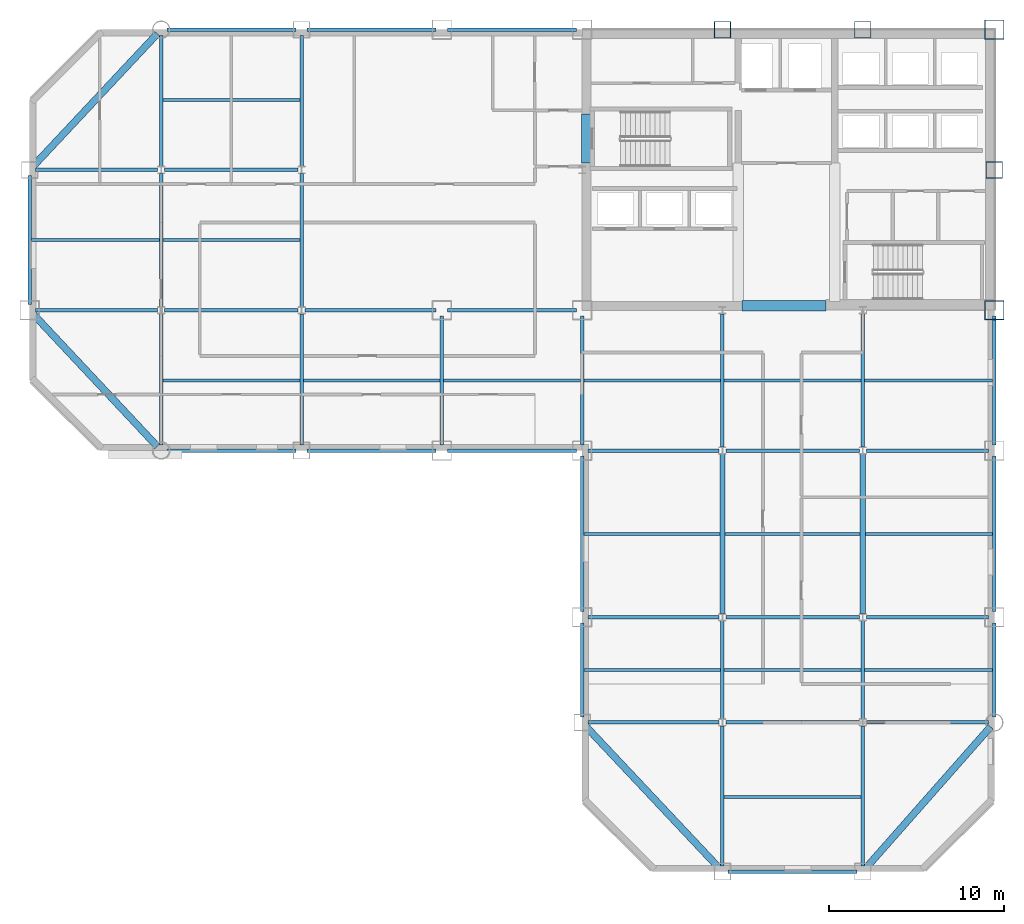
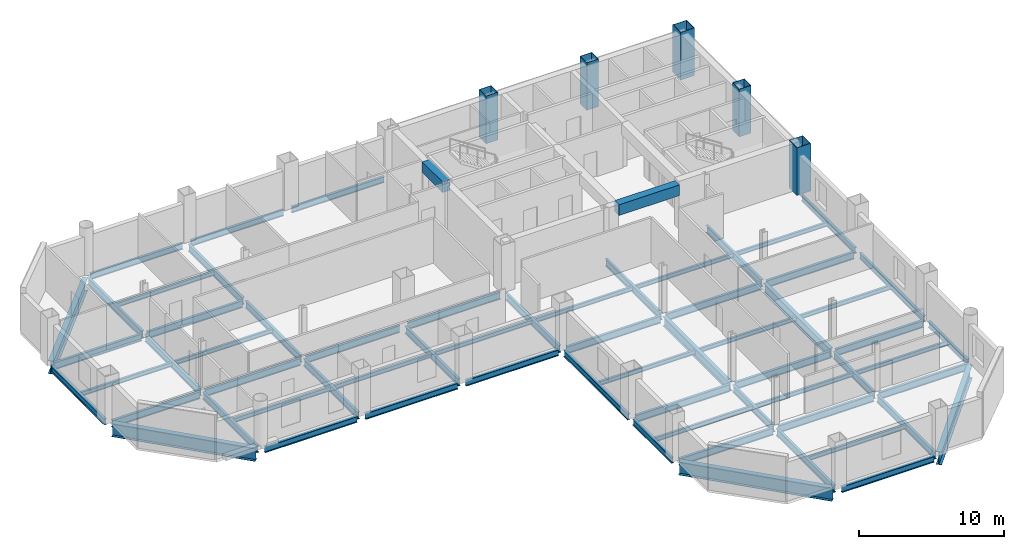
# One storey, part 4 of 10: 66 beams, 5 columns.
"""IFC4 building model written with IfcOpenShell, lengths in metres."""

from ifc_helpers import new_model, si_unit, direction, frame, origin, origin_2d, place, context, subcontext, project, spatial, rectangle, hollow_rectangle, i_section, extrude, material, material_profile, profile_set, type_object, element, save


model = new_model("IFC4")

# Units and contexts
model_context = context("Model", 3, precision=1e-05, world=origin(), true_north=direction((0.0, 1.0)))
body_context = subcontext(model_context, "Body", "Model", "MODEL_VIEW")
ifc_project = project(units=[si_unit("LENGTHUNIT", "METRE"), si_unit("AREAUNIT", "SQUARE_METRE"), si_unit("VOLUMEUNIT", "CUBIC_METRE"), si_unit("PLANEANGLEUNIT", "RADIAN"), si_unit("MASSUNIT", "GRAM", prefix="KILO")], contexts=[model_context])

# Site, building, storey
site_placement = place(None, origin())
site = spatial("IfcSite", under=ifc_project, at=site_placement, CompositionType="ELEMENT")
building_placement = place(site_placement, origin())
building = spatial("IfcBuilding", under=site, at=building_placement, Name="Qianrong Seaharbour Tower", CompositionType="ELEMENT")
storey_placement = place(building_placement, frame((0.0, 0.0, 175.0)))
storey = spatial("IfcBuildingStorey", under=building, at=storey_placement, Name="L42", CompositionType="ELEMENT", Elevation=175.0)

# Columns
ifc_material_1 = material(Name="Structural steel SN490B", Category="steel")
ifc_material_profile_1 = material_profile(ifc_material_1, hollow_rectangle(XDim=1.10009765625, YDim=1.10009765625, WallThickness=0.0400390625, at=origin_2d()), Name="BOX1100x1100x40")
ifc_profile_set_1 = profile_set([ifc_material_profile_1], Name="Structural steel SN490B")
column_type_1 = type_object("IfcColumnType", Name="COL-CFT-1100", PredefinedType="COLUMN", material=ifc_profile_set_1)
for number, where, z_axis, x_axis, name in (
    (1, (64.0, 36.0, 0.0), (0.0, 0.0, 1.0), (1.0, 0.0, 0.0), "L42 Column MC-3 at G9/GF"),
    (2, (64.0, 52.0, 0.0), (0.0, 0.0, 1.0), (1.0, 0.0, 0.0), "L42 Column MC-3 at G9/GH"),
):
    element("IfcColumn", number, at=place(storey_placement, frame(where, z_axis=z_axis, x_axis=x_axis)), inside=storey, type_object=column_type_1, Name=name, PredefinedType="COLUMN", context=body_context, shape_type="SweptSolid", body=[
        extrude(hollow_rectangle(XDim=1.10009765625, YDim=1.10009765625, WallThickness=0.0400390625, at=origin_2d()), origin(), (0.0, 0.0, 1.0), 4.0),
    ])
ifc_material_profile_2 = material_profile(ifc_material_1, hollow_rectangle(XDim=0.949951171875, YDim=0.949951171875, WallThickness=0.035888671875, at=origin_2d()), Name="BOX950x950x36")
ifc_profile_set_2 = profile_set([ifc_material_profile_2], Name="Structural steel SN490B")
column_type_2 = type_object("IfcColumnType", Name="COL-PER-950", PredefinedType="COLUMN", material=ifc_profile_set_2)
for number, where, z_axis, x_axis, name in (
    (3, (48.5, 52.0, 0.0), (0.0, 0.0, 1.0), (1.0, 0.0, 0.0), "L42 Column PC-2 at G7/GH"),
    (4, (56.5, 52.0, 0.0), (0.0, 0.0, 1.0), (1.0, 0.0, 0.0), "L42 Column PC-2 at G8/GH"),
    (5, (64.0, 44.0, 0.0), (0.0, 0.0, 1.0), (1.0, 0.0, 0.0), "L42 Column PC-2 at G9/GG"),
):
    element("IfcColumn", number, at=place(storey_placement, frame(where, z_axis=z_axis, x_axis=x_axis)), inside=storey, type_object=column_type_2, Name=name, PredefinedType="COLUMN", context=body_context, shape_type="SweptSolid", body=[
        extrude(hollow_rectangle(XDim=0.949951171875, YDim=0.949951171875, WallThickness=0.035888671875, at=origin_2d()), origin(), (0.0, 0.0, 1.0), 4.0),
    ])

# Beams
ifc_material_profile_3 = material_profile(ifc_material_1, i_section(OverallWidth=0.199951171875, OverallDepth=0.60009765625, WebThickness=0.010986328125, FlangeThickness=0.01708984375, FilletRadius=0.02197265625, at=origin_2d()), Name="H600x200x11x17")
ifc_profile_set_3 = profile_set([ifc_material_profile_3], Name="Structural steel SN490B")
beam_type_1 = type_object("IfcBeamType", Name="BM-G-600", PredefinedType="BEAM", material=ifc_profile_set_3)
beam_1_placement = place(storey_placement, frame((40.820068359375, 12.5, -0.534912109375), z_axis=(1.0, 0.0, 0.0), x_axis=(0.0, 1.0, 0.0)))
element("IfcBeam", 6, at=beam_1_placement, inside=storey, type_object=beam_type_1, Name="L42 Primary Girder GC G6-G7", PredefinedType="BEAM", context=body_context, shape_type="SweptSolid", body=[
    extrude(i_section(OverallWidth=0.199951171875, OverallDepth=0.60009765625, WebThickness=0.010986328125, FlangeThickness=0.01708984375, FilletRadius=0.02197265625, at=origin_2d()), origin(), (0.0, 0.0, 1.0), 7.47998046875),
])
beam_2_placement = place(storey_placement, frame((48.699951171875, 12.5, -0.534912109375), z_axis=(1.0, 0.0, 0.0), x_axis=(0.0, 1.0, 0.0)))
element("IfcBeam", 7, at=beam_2_placement, inside=storey, type_object=beam_type_1, Name="L42 Primary Girder GC G7-G8", PredefinedType="BEAM", context=body_context, shape_type="SweptSolid", body=[
    extrude(i_section(OverallWidth=0.199951171875, OverallDepth=0.60009765625, WebThickness=0.010986328125, FlangeThickness=0.01708984375, FilletRadius=0.02197265625, at=origin_2d()), origin(), (0.0, 0.0, 1.0), 7.60009765625),
])
beam_3_placement = place(storey_placement, frame((56.699951171875, 12.5, -0.534912109375), z_axis=(1.0, 0.0, 0.0), x_axis=(0.0, 1.0, 0.0)))
element("IfcBeam", 8, at=beam_3_placement, inside=storey, type_object=beam_type_1, Name="L42 Primary Girder GC G8-G9", PredefinedType="BEAM", context=body_context, shape_type="SweptSolid", body=[
    extrude(i_section(OverallWidth=0.199951171875, OverallDepth=0.60009765625, WebThickness=0.010986328125, FlangeThickness=0.01708984375, FilletRadius=0.02197265625, at=origin_2d()), origin(), (0.0, 0.0, 1.0), 6.97998046875),
])
beam_4_placement = place(storey_placement, frame((40.820068359375, 18.5, -0.534912109375), z_axis=(1.0, 0.0, 0.0), x_axis=(0.0, 1.0, 0.0)))
element("IfcBeam", 9, at=beam_4_placement, inside=storey, type_object=beam_type_1, Name="L42 Primary Girder GD G6-G7", PredefinedType="BEAM", context=body_context, shape_type="SweptSolid", body=[
    extrude(i_section(OverallWidth=0.199951171875, OverallDepth=0.60009765625, WebThickness=0.010986328125, FlangeThickness=0.01708984375, FilletRadius=0.02197265625, at=origin_2d()), origin(), (0.0, 0.0, 1.0), 7.47998046875),
])
beam_5_placement = place(storey_placement, frame((48.699951171875, 18.5, -0.534912109375), z_axis=(1.0, 0.0, 0.0), x_axis=(0.0, 1.0, 0.0)))
element("IfcBeam", 10, at=beam_5_placement, inside=storey, type_object=beam_type_1, Name="L42 Primary Girder GD G7-G8", PredefinedType="BEAM", context=body_context, shape_type="SweptSolid", body=[
    extrude(i_section(OverallWidth=0.199951171875, OverallDepth=0.60009765625, WebThickness=0.010986328125, FlangeThickness=0.01708984375, FilletRadius=0.02197265625, at=origin_2d()), origin(), (0.0, 0.0, 1.0), 7.60009765625),
])
beam_6_placement = place(storey_placement, frame((56.699951171875, 18.5, -0.534912109375), z_axis=(1.0, 0.0, 0.0), x_axis=(0.0, 1.0, 0.0)))
element("IfcBeam", 11, at=beam_6_placement, inside=storey, type_object=beam_type_1, Name="L42 Primary Girder GD G8-G9", PredefinedType="BEAM", context=body_context, shape_type="SweptSolid", body=[
    extrude(i_section(OverallWidth=0.199951171875, OverallDepth=0.60009765625, WebThickness=0.010986328125, FlangeThickness=0.01708984375, FilletRadius=0.02197265625, at=origin_2d()), origin(), (0.0, 0.0, 1.0), 6.97998046875),
])
beam_7_placement = place(storey_placement, frame((40.820068359375, 28.0, -0.534912109375), z_axis=(1.0, 0.0, 0.0), x_axis=(0.0, 1.0, 0.0)))
element("IfcBeam", 12, at=beam_7_placement, inside=storey, type_object=beam_type_1, Name="L42 Primary Girder GE G6-G7", PredefinedType="BEAM", context=body_context, shape_type="SweptSolid", body=[
    extrude(i_section(OverallWidth=0.199951171875, OverallDepth=0.60009765625, WebThickness=0.010986328125, FlangeThickness=0.01708984375, FilletRadius=0.02197265625, at=origin_2d()), origin(), (0.0, 0.0, 1.0), 7.47998046875),
])
beam_8_placement = place(storey_placement, frame((48.699951171875, 28.0, -0.534912109375), z_axis=(1.0, 0.0, 0.0), x_axis=(0.0, 1.0, 0.0)))
element("IfcBeam", 13, at=beam_8_placement, inside=storey, type_object=beam_type_1, Name="L42 Primary Girder GE G7-G8", PredefinedType="BEAM", context=body_context, shape_type="SweptSolid", body=[
    extrude(i_section(OverallWidth=0.199951171875, OverallDepth=0.60009765625, WebThickness=0.010986328125, FlangeThickness=0.01708984375, FilletRadius=0.02197265625, at=origin_2d()), origin(), (0.0, 0.0, 1.0), 7.60009765625),
])
for number, where, z_axis, x_axis, name in (
    (14, (56.699951171875, 28.0, -0.534912109375), (1.0, 0.0, 0.0), (0.0, 1.0, 0.0), "L42 Primary Girder GE G8-G9"),
    (15, (9.320068359375, 36.0, -0.534912109375), (1.0, 0.0, 0.0), (0.0, 1.0, 0.0), "L42 Primary Girder GF G2-G3"),
):
    element("IfcBeam", number, at=place(storey_placement, frame(where, z_axis=z_axis, x_axis=x_axis)), inside=storey, type_object=beam_type_1, Name=name, PredefinedType="BEAM", context=body_context, shape_type="SweptSolid", body=[
        extrude(i_section(OverallWidth=0.199951171875, OverallDepth=0.60009765625, WebThickness=0.010986328125, FlangeThickness=0.01708984375, FilletRadius=0.02197265625, at=origin_2d()), origin(), (0.0, 0.0, 1.0), 6.97998046875),
    ])
beam_9_placement = place(storey_placement, frame((16.699951171875, 36.0, -0.534912109375), z_axis=(1.0, 0.0, 0.0), x_axis=(0.0, 1.0, 0.0)))
element("IfcBeam", 16, at=beam_9_placement, inside=storey, type_object=beam_type_1, Name="L42 Primary Girder GF G3-G4", PredefinedType="BEAM", context=body_context, shape_type="SweptSolid", body=[
    extrude(i_section(OverallWidth=0.199951171875, OverallDepth=0.60009765625, WebThickness=0.010986328125, FlangeThickness=0.01708984375, FilletRadius=0.02197265625, at=origin_2d()), origin(), (0.0, 0.0, 1.0), 7.60009765625),
])
beam_10_placement = place(storey_placement, frame((24.699951171875, 36.0, -0.534912109375), z_axis=(1.0, 0.0, 0.0), x_axis=(0.0, 1.0, 0.0)))
element("IfcBeam", 17, at=beam_10_placement, inside=storey, type_object=beam_type_1, Name="L42 Primary Girder GF G4-G5", PredefinedType="BEAM", context=body_context, shape_type="SweptSolid", body=[
    extrude(i_section(OverallWidth=0.199951171875, OverallDepth=0.60009765625, WebThickness=0.010986328125, FlangeThickness=0.01708984375, FilletRadius=0.02197265625, at=origin_2d()), origin(), (0.0, 0.0, 1.0), 7.47998046875),
])
beam_11_placement = place(storey_placement, frame((32.820068359375, 36.0, -0.534912109375), z_axis=(1.0, 0.0, 0.0), x_axis=(0.0, 1.0, 0.0)))
element("IfcBeam", 18, at=beam_11_placement, inside=storey, type_object=beam_type_1, Name="L42 Primary Girder GF G5-G6", PredefinedType="BEAM", context=body_context, shape_type="SweptSolid", body=[
    extrude(i_section(OverallWidth=0.199951171875, OverallDepth=0.60009765625, WebThickness=0.010986328125, FlangeThickness=0.01708984375, FilletRadius=0.02197265625, at=origin_2d()), origin(), (0.0, 0.0, 1.0), 7.35986328125),
])
beam_12_placement = place(storey_placement, frame((9.320068359375, 44.0, -0.534912109375), z_axis=(1.0, 0.0, 0.0), x_axis=(0.0, 1.0, 0.0)))
element("IfcBeam", 19, at=beam_12_placement, inside=storey, type_object=beam_type_1, Name="L42 Primary Girder GG G2-G3", PredefinedType="BEAM", context=body_context, shape_type="SweptSolid", body=[
    extrude(i_section(OverallWidth=0.199951171875, OverallDepth=0.60009765625, WebThickness=0.010986328125, FlangeThickness=0.01708984375, FilletRadius=0.02197265625, at=origin_2d()), origin(), (0.0, 0.0, 1.0), 6.97998046875),
])
beam_13_placement = place(storey_placement, frame((16.699951171875, 44.0, -0.534912109375), z_axis=(1.0, 0.0, 0.0), x_axis=(0.0, 1.0, 0.0)))
element("IfcBeam", 20, at=beam_13_placement, inside=storey, type_object=beam_type_1, Name="L42 Primary Girder GG G3-G4", PredefinedType="BEAM", context=body_context, shape_type="SweptSolid", body=[
    extrude(i_section(OverallWidth=0.199951171875, OverallDepth=0.60009765625, WebThickness=0.010986328125, FlangeThickness=0.01708984375, FilletRadius=0.02197265625, at=origin_2d()), origin(), (0.0, 0.0, 1.0), 7.60009765625),
])
beam_14_placement = place(storey_placement, frame((16.5, 28.320068359375, -0.534912109375), z_axis=(0.0, 1.0, 0.0), x_axis=(-1.0, 0.0, 0.0)))
element("IfcBeam", 21, at=beam_14_placement, inside=storey, type_object=beam_type_1, Name="L42 Primary Girder G3 GE-GF", PredefinedType="BEAM", context=body_context, shape_type="SweptSolid", body=[
    extrude(i_section(OverallWidth=0.199951171875, OverallDepth=0.60009765625, WebThickness=0.010986328125, FlangeThickness=0.01708984375, FilletRadius=0.02197265625, at=origin_2d()), origin(), (0.0, 0.0, 1.0), 7.47998046875),
])
beam_15_placement = place(storey_placement, frame((16.5, 36.199951171875, -0.534912109375), z_axis=(0.0, 1.0, 0.0), x_axis=(-1.0, 0.0, 0.0)))
element("IfcBeam", 22, at=beam_15_placement, inside=storey, type_object=beam_type_1, Name="L42 Primary Girder G3 GF-GG", PredefinedType="BEAM", context=body_context, shape_type="SweptSolid", body=[
    extrude(i_section(OverallWidth=0.199951171875, OverallDepth=0.60009765625, WebThickness=0.010986328125, FlangeThickness=0.01708984375, FilletRadius=0.02197265625, at=origin_2d()), origin(), (0.0, 0.0, 1.0), 7.60009765625),
])
for number, where, z_axis, x_axis, name in (
    (23, (16.5, 44.199951171875, -0.534912109375), (0.0, 1.0, 0.0), (-1.0, 0.0, 0.0), "L42 Primary Girder G3 GG-GH"),
    (24, (24.5, 28.320068359375, -0.534912109375), (0.0, 1.0, 0.0), (-1.0, 0.0, 0.0), "L42 Primary Girder G4 GE-GF"),
):
    element("IfcBeam", number, at=place(storey_placement, frame(where, z_axis=z_axis, x_axis=x_axis)), inside=storey, type_object=beam_type_1, Name=name, PredefinedType="BEAM", context=body_context, shape_type="SweptSolid", body=[
        extrude(i_section(OverallWidth=0.199951171875, OverallDepth=0.60009765625, WebThickness=0.010986328125, FlangeThickness=0.01708984375, FilletRadius=0.02197265625, at=origin_2d()), origin(), (0.0, 0.0, 1.0), 7.47998046875),
    ])
beam_16_placement = place(storey_placement, frame((24.5, 36.199951171875, -0.534912109375), z_axis=(0.0, 1.0, 0.0), x_axis=(-1.0, 0.0, 0.0)))
element("IfcBeam", 25, at=beam_16_placement, inside=storey, type_object=beam_type_1, Name="L42 Primary Girder G4 GF-GG", PredefinedType="BEAM", context=body_context, shape_type="SweptSolid", body=[
    extrude(i_section(OverallWidth=0.199951171875, OverallDepth=0.60009765625, WebThickness=0.010986328125, FlangeThickness=0.01708984375, FilletRadius=0.02197265625, at=origin_2d()), origin(), (0.0, 0.0, 1.0), 7.60009765625),
])
beam_17_placement = place(storey_placement, frame((24.5, 44.199951171875, -0.534912109375), z_axis=(0.0, 1.0, 0.0), x_axis=(-1.0, 0.0, 0.0)))
element("IfcBeam", 26, at=beam_17_placement, inside=storey, type_object=beam_type_1, Name="L42 Primary Girder G4 GG-GH", PredefinedType="BEAM", context=body_context, shape_type="SweptSolid", body=[
    extrude(i_section(OverallWidth=0.199951171875, OverallDepth=0.60009765625, WebThickness=0.010986328125, FlangeThickness=0.01708984375, FilletRadius=0.02197265625, at=origin_2d()), origin(), (0.0, 0.0, 1.0), 7.47998046875),
])
for number, where, z_axis, x_axis, name in (
    (27, (32.5, 28.320068359375, -0.534912109375), (0.0, 1.0, 0.0), (-1.0, 0.0, 0.0), "L42 Primary Girder G5 GE-GF"),
    (28, (40.5, 28.320068359375, -0.534912109375), (0.0, 1.0, 0.0), (-1.0, 0.0, 0.0), "L42 Primary Girder G6 GE-GF"),
):
    element("IfcBeam", number, at=place(storey_placement, frame(where, z_axis=z_axis, x_axis=x_axis)), inside=storey, type_object=beam_type_1, Name=name, PredefinedType="BEAM", context=body_context, shape_type="SweptSolid", body=[
        extrude(i_section(OverallWidth=0.199951171875, OverallDepth=0.60009765625, WebThickness=0.010986328125, FlangeThickness=0.01708984375, FilletRadius=0.02197265625, at=origin_2d()), origin(), (0.0, 0.0, 1.0), 7.35986328125),
    ])
beam_18_placement = place(storey_placement, frame((48.5, 4.320068359375, -0.534912109375), z_axis=(0.0, 1.0, 0.0), x_axis=(-1.0, 0.0, 0.0)))
element("IfcBeam", 29, at=beam_18_placement, inside=storey, type_object=beam_type_1, Name="L42 Primary Girder G7 GB-GC", PredefinedType="BEAM", context=body_context, shape_type="SweptSolid", body=[
    extrude(i_section(OverallWidth=0.199951171875, OverallDepth=0.60009765625, WebThickness=0.010986328125, FlangeThickness=0.01708984375, FilletRadius=0.02197265625, at=origin_2d()), origin(), (0.0, 0.0, 1.0), 7.97998046875),
])
beam_19_placement = place(storey_placement, frame((48.5, 12.699951171875, -0.534912109375), z_axis=(0.0, 1.0, 0.0), x_axis=(-1.0, 0.0, 0.0)))
element("IfcBeam", 30, at=beam_19_placement, inside=storey, type_object=beam_type_1, Name="L42 Primary Girder G7 GC-GD", PredefinedType="BEAM", context=body_context, shape_type="SweptSolid", body=[
    extrude(i_section(OverallWidth=0.199951171875, OverallDepth=0.60009765625, WebThickness=0.010986328125, FlangeThickness=0.01708984375, FilletRadius=0.02197265625, at=origin_2d()), origin(), (0.0, 0.0, 1.0), 5.60009765625),
])
beam_20_placement = place(storey_placement, frame((48.5, 28.199951171875, -0.534912109375), z_axis=(0.0, 1.0, 0.0), x_axis=(-1.0, 0.0, 0.0)))
element("IfcBeam", 31, at=beam_20_placement, inside=storey, type_object=beam_type_1, Name="L42 Primary Girder G7 GE-GF", PredefinedType="BEAM", context=body_context, shape_type="SweptSolid", body=[
    extrude(i_section(OverallWidth=0.199951171875, OverallDepth=0.60009765625, WebThickness=0.010986328125, FlangeThickness=0.01708984375, FilletRadius=0.02197265625, at=origin_2d()), origin(), (0.0, 0.0, 1.0), 7.60009765625),
])
beam_21_placement = place(storey_placement, frame((56.5, 4.320068359375, -0.534912109375), z_axis=(0.0, 1.0, 0.0), x_axis=(-1.0, 0.0, 0.0)))
element("IfcBeam", 32, at=beam_21_placement, inside=storey, type_object=beam_type_1, Name="L42 Primary Girder G8 GB-GC", PredefinedType="BEAM", context=body_context, shape_type="SweptSolid", body=[
    extrude(i_section(OverallWidth=0.199951171875, OverallDepth=0.60009765625, WebThickness=0.010986328125, FlangeThickness=0.01708984375, FilletRadius=0.02197265625, at=origin_2d()), origin(), (0.0, 0.0, 1.0), 7.97998046875),
])
beam_22_placement = place(storey_placement, frame((56.5, 12.699951171875, -0.534912109375), z_axis=(0.0, 1.0, 0.0), x_axis=(-1.0, 0.0, 0.0)))
element("IfcBeam", 33, at=beam_22_placement, inside=storey, type_object=beam_type_1, Name="L42 Primary Girder G8 GC-GD", PredefinedType="BEAM", context=body_context, shape_type="SweptSolid", body=[
    extrude(i_section(OverallWidth=0.199951171875, OverallDepth=0.60009765625, WebThickness=0.010986328125, FlangeThickness=0.01708984375, FilletRadius=0.02197265625, at=origin_2d()), origin(), (0.0, 0.0, 1.0), 5.60009765625),
])
beam_23_placement = place(storey_placement, frame((56.5, 28.199951171875, -0.534912109375), z_axis=(0.0, 1.0, 0.0), x_axis=(-1.0, 0.0, 0.0)))
element("IfcBeam", 34, at=beam_23_placement, inside=storey, type_object=beam_type_1, Name="L42 Primary Girder G8 GE-GF", PredefinedType="BEAM", context=body_context, shape_type="SweptSolid", body=[
    extrude(i_section(OverallWidth=0.199951171875, OverallDepth=0.60009765625, WebThickness=0.010986328125, FlangeThickness=0.01708984375, FilletRadius=0.02197265625, at=origin_2d()), origin(), (0.0, 0.0, 1.0), 7.60009765625),
])
ifc_material_profile_4 = material_profile(ifc_material_1, i_section(OverallWidth=0.300048828125, OverallDepth=0.800048828125, WebThickness=0.013916015625, FlangeThickness=0.02587890625, FilletRadius=0.028076171875, at=origin_2d()), Name="H800x300x14x26")
ifc_profile_set_4 = profile_set([ifc_material_profile_4], Name="Structural steel SN490B")
beam_type_2 = type_object("IfcBeamType", Name="BM-G-800", PredefinedType="BEAM", material=ifc_profile_set_4)
for number, where, z_axis, x_axis, name in (
    (35, (48.5, 18.699951171875, -0.635009765625), (0.0, 1.0, 0.0), (-1.0, 0.0, 0.0), "L42 Primary Girder G7 GD-GE"),
    (36, (56.5, 18.699951171875, -0.635009765625), (0.0, 1.0, 0.0), (-1.0, 0.0, 0.0), "L42 Primary Girder G8 GD-GE"),
):
    element("IfcBeam", number, at=place(storey_placement, frame(where, z_axis=z_axis, x_axis=x_axis)), inside=storey, type_object=beam_type_2, Name=name, PredefinedType="BEAM", context=body_context, shape_type="SweptSolid", body=[
        extrude(i_section(OverallWidth=0.300048828125, OverallDepth=0.800048828125, WebThickness=0.013916015625, FlangeThickness=0.02587890625, FilletRadius=0.028076171875, at=origin_2d()), origin(), (0.0, 0.0, 1.0), 9.10009765625),
    ])
ifc_material_2 = material(Name="Structural steel SN400B", Category="steel")
ifc_material_profile_5 = material_profile(ifc_material_2, i_section(OverallWidth=0.175048828125, OverallDepth=0.35009765625, WebThickness=0.007080078125, FlangeThickness=0.010986328125, FilletRadius=0.013916015625, at=origin_2d()), Name="H350x175x7x11")
ifc_profile_set_5 = profile_set([ifc_material_profile_5], Name="Structural steel SN400B")
beam_type_3 = type_object("IfcBeamType", Name="BM-J-350", PredefinedType="JOIST", material=ifc_profile_set_5)
beam_24_placement = place(storey_placement, frame((9.10009765625, 40.0, -0.409912109375), z_axis=(1.0, 0.0, 0.0), x_axis=(0.0, 1.0, 0.0)))
element("IfcBeam", 37, at=beam_24_placement, inside=storey, type_object=beam_type_3, Name="L42 Composite Floor Joist G2-G3/GF-GG", PredefinedType="JOIST", context=body_context, shape_type="SweptSolid", body=[
    extrude(i_section(OverallWidth=0.175048828125, OverallDepth=0.35009765625, WebThickness=0.007080078125, FlangeThickness=0.010986328125, FilletRadius=0.013916015625, at=origin_2d()), origin(), (0.0, 0.0, 1.0), 7.2998046875),
])
for number, where, z_axis, x_axis, name in (
    (38, (16.60009765625, 32.0, -0.409912109375), (1.0, 0.0, 0.0), (0.0, 1.0, 0.0), "L42 Composite Floor Joist G3-G4/GE-GF"),
    (39, (16.60009765625, 40.0, -0.409912109375), (1.0, 0.0, 0.0), (0.0, 1.0, 0.0), "L42 Composite Floor Joist G3-G4/GF-GG"),
    (40, (16.60009765625, 48.0, -0.409912109375), (1.0, 0.0, 0.0), (0.0, 1.0, 0.0), "L42 Composite Floor Joist G3-G4/GG-GH"),
    (41, (24.60009765625, 32.0, -0.409912109375), (1.0, 0.0, 0.0), (0.0, 1.0, 0.0), "L42 Composite Floor Joist G4-G5/GE-GF"),
    (42, (32.60009765625, 32.0, -0.409912109375), (1.0, 0.0, 0.0), (0.0, 1.0, 0.0), "L42 Composite Floor Joist G5-G6/GE-GF"),
    (43, (40.60009765625, 15.5, -0.409912109375), (1.0, 0.0, 0.0), (0.0, 1.0, 0.0), "L42 Composite Floor Joist G6-G7/GC-GD"),
):
    element("IfcBeam", number, at=place(storey_placement, frame(where, z_axis=z_axis, x_axis=x_axis)), inside=storey, type_object=beam_type_3, Name=name, PredefinedType="JOIST", context=body_context, shape_type="SweptSolid", body=[
        extrude(i_section(OverallWidth=0.175048828125, OverallDepth=0.35009765625, WebThickness=0.007080078125, FlangeThickness=0.010986328125, FilletRadius=0.013916015625, at=origin_2d()), origin(), (0.0, 0.0, 1.0), 7.7998046875),
    ])
beam_25_placement = place(storey_placement, frame((40.60009765625, 23.25, -0.409912109375), z_axis=(1.0, 0.0, 0.0), x_axis=(0.0, 1.0, 0.0)))
element("IfcBeam", 44, at=beam_25_placement, inside=storey, type_object=beam_type_3, Name="L42 Composite Floor Joist G6-G7/GD-GE", PredefinedType="JOIST", context=body_context, shape_type="SweptSolid", body=[
    extrude(i_section(OverallWidth=0.175048828125, OverallDepth=0.35009765625, WebThickness=0.007080078125, FlangeThickness=0.010986328125, FilletRadius=0.013916015625, at=origin_2d()), origin(), (0.0, 0.0, 1.0), 7.75),
])
for number, where, z_axis, x_axis, name in (
    (45, (40.60009765625, 32.0, -0.409912109375), (1.0, 0.0, 0.0), (0.0, 1.0, 0.0), "L42 Composite Floor Joist G6-G7/GE-GF"),
    (46, (48.60009765625, 8.25, -0.409912109375), (1.0, 0.0, 0.0), (0.0, 1.0, 0.0), "L42 Composite Floor Joist G7-G8/GB-GC"),
    (47, (48.60009765625, 15.5, -0.409912109375), (1.0, 0.0, 0.0), (0.0, 1.0, 0.0), "L42 Composite Floor Joist G7-G8/GC-GD"),
):
    element("IfcBeam", number, at=place(storey_placement, frame(where, z_axis=z_axis, x_axis=x_axis)), inside=storey, type_object=beam_type_3, Name=name, PredefinedType="JOIST", context=body_context, shape_type="SweptSolid", body=[
        extrude(i_section(OverallWidth=0.175048828125, OverallDepth=0.35009765625, WebThickness=0.007080078125, FlangeThickness=0.010986328125, FilletRadius=0.013916015625, at=origin_2d()), origin(), (0.0, 0.0, 1.0), 7.7998046875),
    ])
beam_26_placement = place(storey_placement, frame((48.64990234375, 23.25, -0.409912109375), z_axis=(1.0, 0.0, 0.0), x_axis=(0.0, 1.0, 0.0)))
element("IfcBeam", 48, at=beam_26_placement, inside=storey, type_object=beam_type_3, Name="L42 Composite Floor Joist G7-G8/GD-GE", PredefinedType="JOIST", context=body_context, shape_type="SweptSolid", body=[
    extrude(i_section(OverallWidth=0.175048828125, OverallDepth=0.35009765625, WebThickness=0.007080078125, FlangeThickness=0.010986328125, FilletRadius=0.013916015625, at=origin_2d()), origin(), (0.0, 0.0, 1.0), 7.7001953125),
])
beam_27_placement = place(storey_placement, frame((48.60009765625, 32.0, -0.409912109375), z_axis=(1.0, 0.0, 0.0), x_axis=(0.0, 1.0, 0.0)))
element("IfcBeam", 49, at=beam_27_placement, inside=storey, type_object=beam_type_3, Name="L42 Composite Floor Joist G7-G8/GE-GF", PredefinedType="JOIST", context=body_context, shape_type="SweptSolid", body=[
    extrude(i_section(OverallWidth=0.175048828125, OverallDepth=0.35009765625, WebThickness=0.007080078125, FlangeThickness=0.010986328125, FilletRadius=0.013916015625, at=origin_2d()), origin(), (0.0, 0.0, 1.0), 7.7998046875),
])
beam_28_placement = place(storey_placement, frame((56.60009765625, 15.5, -0.409912109375), z_axis=(1.0, 0.0, 0.0), x_axis=(0.0, 1.0, 0.0)))
element("IfcBeam", 50, at=beam_28_placement, inside=storey, type_object=beam_type_3, Name="L42 Composite Floor Joist G8-G9/GC-GD", PredefinedType="JOIST", context=body_context, shape_type="SweptSolid", body=[
    extrude(i_section(OverallWidth=0.175048828125, OverallDepth=0.35009765625, WebThickness=0.007080078125, FlangeThickness=0.010986328125, FilletRadius=0.013916015625, at=origin_2d()), origin(), (0.0, 0.0, 1.0), 7.2998046875),
])
beam_29_placement = place(storey_placement, frame((56.64990234375, 23.25, -0.409912109375), z_axis=(1.0, 0.0, 0.0), x_axis=(0.0, 1.0, 0.0)))
element("IfcBeam", 51, at=beam_29_placement, inside=storey, type_object=beam_type_3, Name="L42 Composite Floor Joist G8-G9/GD-GE", PredefinedType="JOIST", context=body_context, shape_type="SweptSolid", body=[
    extrude(i_section(OverallWidth=0.175048828125, OverallDepth=0.35009765625, WebThickness=0.007080078125, FlangeThickness=0.010986328125, FilletRadius=0.013916015625, at=origin_2d()), origin(), (0.0, 0.0, 1.0), 7.25),
])
beam_30_placement = place(storey_placement, frame((56.60009765625, 32.0, -0.409912109375), z_axis=(1.0, 0.0, 0.0), x_axis=(0.0, 1.0, 0.0)))
element("IfcBeam", 52, at=beam_30_placement, inside=storey, type_object=beam_type_3, Name="L42 Composite Floor Joist G8-G9/GE-GF", PredefinedType="JOIST", context=body_context, shape_type="SweptSolid", body=[
    extrude(i_section(OverallWidth=0.175048828125, OverallDepth=0.35009765625, WebThickness=0.007080078125, FlangeThickness=0.010986328125, FilletRadius=0.013916015625, at=origin_2d()), origin(), (0.0, 0.0, 1.0), 7.2998046875),
])
ifc_material_3 = material(Name="Concrete C70/85", Category="concrete")
ifc_material_profile_6 = material_profile(ifc_material_3, rectangle(XDim=0.60009765625, YDim=0.89990234375, at=origin_2d()), Name="RC600x900")
ifc_profile_set_6 = profile_set([ifc_material_profile_6], Name="Concrete C70/85")
beam_type_4 = type_object("IfcBeamType", Name="BM-LINTEL-900", PredefinedType="LINTEL", material=ifc_profile_set_6)
beam_31_placement = place(storey_placement, frame((40.75, 44.39990234375, 3.31494140625), z_axis=(0.0, 1.0, 0.0), x_axis=(-1.0, 0.0, 0.0)))
element("IfcBeam", 53, at=beam_31_placement, inside=storey, type_object=beam_type_4, Name="L42 Core Coupling Lintel Beam West", PredefinedType="LINTEL", context=body_context, shape_type="SweptSolid", body=[
    extrude(rectangle(XDim=0.60009765625, YDim=0.89990234375, at=origin_2d()), origin(), (0.0, 0.0, 1.0), 2.800048828125),
])
beam_32_placement = place(storey_placement, frame((49.60009765625, 36.25, 3.31494140625), z_axis=(1.0, 0.0, 0.0), x_axis=(0.0, 1.0, 0.0)))
element("IfcBeam", 54, at=beam_32_placement, inside=storey, type_object=beam_type_4, Name="L42 Core Coupling Lintel Beam CBC", PredefinedType="LINTEL", context=body_context, shape_type="SweptSolid", body=[
    extrude(rectangle(XDim=0.60009765625, YDim=0.89990234375, at=origin_2d()), origin(), (0.0, 0.0, 1.0), 4.7998046875),
])
ifc_material_profile_7 = material_profile(ifc_material_1, i_section(OverallWidth=0.199951171875, OverallDepth=0.5, WebThickness=0.010009765625, FlangeThickness=0.01611328125, FilletRadius=0.02001953125, at=origin_2d()), Name="H500x200x10x16")
ifc_profile_set_7 = profile_set([ifc_material_profile_7], Name="Structural steel SN490B")
beam_type_5 = type_object("IfcBeamType", Name="BM-SP-500", PredefinedType="SPANDREL", material=ifc_profile_set_7)
for number, where, z_axis, x_axis, name in (
    (55, (48.820068359375, 4.0, -0.485107421875), (1.0, 0.0, 0.0), (0.0, 1.0, 0.0), "L42 Spandrel Girder GB G7-G8"),
    (56, (16.820068359375, 28.0, -0.485107421875), (1.0, 0.0, 0.0), (0.0, 1.0, 0.0), "L42 Spandrel Girder GE G3-G4"),
    (57, (24.820068359375, 28.0, -0.485107421875), (1.0, 0.0, 0.0), (0.0, 1.0, 0.0), "L42 Spandrel Girder GE G4-G5"),
    (58, (32.820068359375, 28.0, -0.485107421875), (1.0, 0.0, 0.0), (0.0, 1.0, 0.0), "L42 Spandrel Girder GE G5-G6"),
    (59, (16.820068359375, 52.0, -0.485107421875), (1.0, 0.0, 0.0), (0.0, 1.0, 0.0), "L42 Spandrel Girder GH G3-G4"),
    (60, (24.820068359375, 52.0, -0.485107421875), (1.0, 0.0, 0.0), (0.0, 1.0, 0.0), "L42 Spandrel Girder GH G4-G5"),
    (61, (32.820068359375, 52.0, -0.485107421875), (1.0, 0.0, 0.0), (0.0, 1.0, 0.0), "L42 Spandrel Girder GH G5-G6"),
    (62, (9.0, 36.320068359375, -0.485107421875), (0.0, 1.0, 0.0), (-1.0, 0.0, 0.0), "L42 Spandrel Girder G2 GF-GG"),
):
    element("IfcBeam", number, at=place(storey_placement, frame(where, z_axis=z_axis, x_axis=x_axis)), inside=storey, type_object=beam_type_5, Name=name, PredefinedType="SPANDREL", context=body_context, shape_type="SweptSolid", body=[
        extrude(i_section(OverallWidth=0.199951171875, OverallDepth=0.5, WebThickness=0.010009765625, FlangeThickness=0.01611328125, FilletRadius=0.02001953125, at=origin_2d()), origin(), (0.0, 0.0, 1.0), 7.35986328125),
    ])
beam_33_placement = place(storey_placement, frame((40.5, 12.820068359375, -0.485107421875), z_axis=(0.0, 1.0, 0.0), x_axis=(-1.0, 0.0, 0.0)))
element("IfcBeam", 63, at=beam_33_placement, inside=storey, type_object=beam_type_5, Name="L42 Spandrel Girder G6 GC-GD", PredefinedType="SPANDREL", context=body_context, shape_type="SweptSolid", body=[
    extrude(i_section(OverallWidth=0.199951171875, OverallDepth=0.5, WebThickness=0.010009765625, FlangeThickness=0.01611328125, FilletRadius=0.02001953125, at=origin_2d()), origin(), (0.0, 0.0, 1.0), 5.35986328125),
])
beam_34_placement = place(storey_placement, frame((40.5, 18.820068359375, -0.485107421875), z_axis=(0.0, 1.0, 0.0), x_axis=(-1.0, 0.0, 0.0)))
element("IfcBeam", 64, at=beam_34_placement, inside=storey, type_object=beam_type_5, Name="L42 Spandrel Girder G6 GD-GE", PredefinedType="SPANDREL", context=body_context, shape_type="SweptSolid", body=[
    extrude(i_section(OverallWidth=0.199951171875, OverallDepth=0.5, WebThickness=0.010009765625, FlangeThickness=0.01611328125, FilletRadius=0.02001953125, at=origin_2d()), origin(), (0.0, 0.0, 1.0), 8.85986328125),
])
beam_35_placement = place(storey_placement, frame((64.0, 12.820068359375, -0.485107421875), z_axis=(0.0, 1.0, 0.0), x_axis=(-1.0, 0.0, 0.0)))
element("IfcBeam", 65, at=beam_35_placement, inside=storey, type_object=beam_type_5, Name="L42 Spandrel Girder G9 GC-GD", PredefinedType="SPANDREL", context=body_context, shape_type="SweptSolid", body=[
    extrude(i_section(OverallWidth=0.199951171875, OverallDepth=0.5, WebThickness=0.010009765625, FlangeThickness=0.01611328125, FilletRadius=0.02001953125, at=origin_2d()), origin(), (0.0, 0.0, 1.0), 5.35986328125),
])
beam_36_placement = place(storey_placement, frame((64.0, 18.820068359375, -0.485107421875), z_axis=(0.0, 1.0, 0.0), x_axis=(-1.0, 0.0, 0.0)))
element("IfcBeam", 66, at=beam_36_placement, inside=storey, type_object=beam_type_5, Name="L42 Spandrel Girder G9 GD-GE", PredefinedType="SPANDREL", context=body_context, shape_type="SweptSolid", body=[
    extrude(i_section(OverallWidth=0.199951171875, OverallDepth=0.5, WebThickness=0.010009765625, FlangeThickness=0.01611328125, FilletRadius=0.02001953125, at=origin_2d()), origin(), (0.0, 0.0, 1.0), 8.85986328125),
])
beam_37_placement = place(storey_placement, frame((64.0, 28.320068359375, -0.485107421875), z_axis=(0.0, 1.0, 0.0), x_axis=(-1.0, 0.0, 0.0)))
element("IfcBeam", 67, at=beam_37_placement, inside=storey, type_object=beam_type_5, Name="L42 Spandrel Girder G9 GE-GF", PredefinedType="SPANDREL", context=body_context, shape_type="SweptSolid", body=[
    extrude(i_section(OverallWidth=0.199951171875, OverallDepth=0.5, WebThickness=0.010009765625, FlangeThickness=0.01611328125, FilletRadius=0.02001953125, at=origin_2d()), origin(), (0.0, 0.0, 1.0), 7.35986328125),
])
ifc_material_profile_8 = material_profile(ifc_material_1, i_section(OverallWidth=0.39990234375, OverallDepth=1.10009765625, WebThickness=0.02001953125, FlangeThickness=0.035888671875, at=origin_2d()), Name="BH1100x400x20x36")
ifc_profile_set_8 = profile_set([ifc_material_profile_8], Name="Structural steel SN490B")
beam_type_6 = type_object("IfcBeamType", Name="BM-TG-1100", PredefinedType="BEAM", material=ifc_profile_set_8)
for number, where, z_axis, x_axis, name in (
    (68, (16.28125, 28.2333984375, -0.784912109375), (-0.683947420573, 0.729531305628, 0.0), (-0.729531305628, -0.683947420573, 0.0), "L42 Chamfer Corner Spandrel Girder G2/GE"),
    (69, (16.28125, 51.7666015625, -0.784912109375), (-0.683947420573, -0.729531305628, 0.0), (0.729531305628, -0.683947420573, 0.0), "L42 Chamfer Corner Spandrel Girder G2/GH"),
):
    element("IfcBeam", number, at=place(storey_placement, frame(where, z_axis=z_axis, x_axis=x_axis)), inside=storey, type_object=beam_type_6, Name=name, PredefinedType="BEAM", context=body_context, shape_type="SweptSolid", body=[
        extrude(i_section(OverallWidth=0.39990234375, OverallDepth=1.10009765625, WebThickness=0.02001953125, FlangeThickness=0.035888671875, at=origin_2d()), origin(), (0.0, 0.0, 1.0), 10.326171875),
    ])
beam_38_placement = place(storey_placement, frame((48.28076171875, 4.23291015625, -0.784912109375), z_axis=(-0.685361938021, 0.728202591256, 0.0), x_axis=(-0.728202591256, -0.685361938021, 0.0)))
element("IfcBeam", 70, at=beam_38_placement, inside=storey, type_object=beam_type_6, Name="L42 Chamfer Corner Spandrel Girder G6/GB", PredefinedType="BEAM", context=body_context, shape_type="SweptSolid", body=[
    extrude(i_section(OverallWidth=0.39990234375, OverallDepth=1.10009765625, WebThickness=0.02001953125, FlangeThickness=0.035888671875, at=origin_2d()), origin(), (0.0, 0.0, 1.0), 11.032958984375),
])
beam_39_placement = place(storey_placement, frame((56.711669921875, 4.239990234375, -0.784912109375), z_axis=(0.661630696334, 0.749829861815, 0.0), x_axis=(-0.749829861815, 0.661630696334, 0.0)))
element("IfcBeam", 71, at=beam_39_placement, inside=storey, type_object=beam_type_6, Name="L42 Chamfer Corner Spandrel Girder G9/GB", PredefinedType="BEAM", context=body_context, shape_type="SweptSolid", body=[
    extrude(i_section(OverallWidth=0.39990234375, OverallDepth=1.10009765625, WebThickness=0.02001953125, FlangeThickness=0.035888671875, at=origin_2d()), origin(), (0.0, 0.0, 1.0), 10.69580078125),
])

save(model, "model.ifc")
